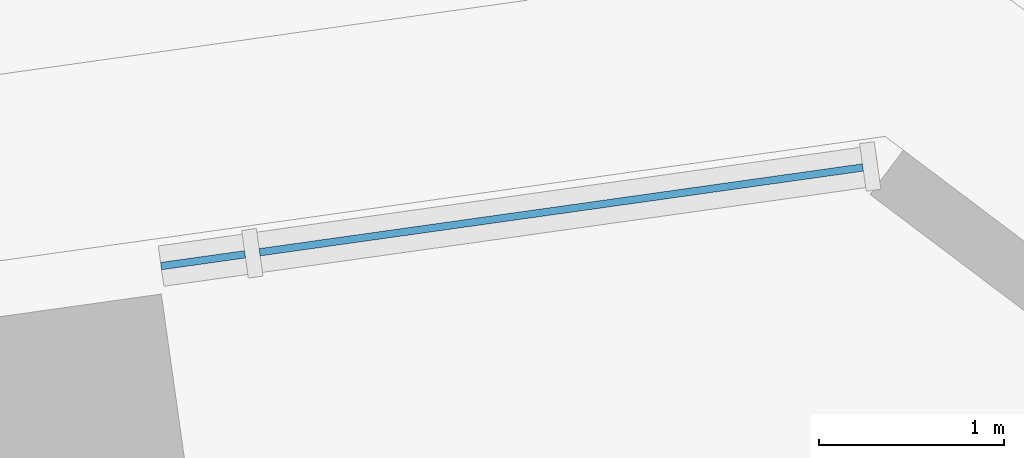
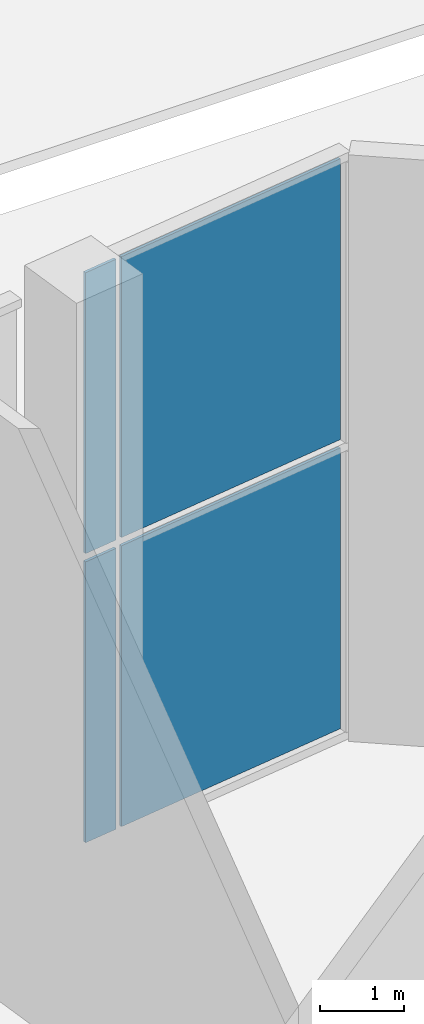
# One storey, part 15 of 34: 4 plates, 1 element without a shape of its own.
"""IFC4 building model written with IfcOpenShell, lengths in metres."""

from ifc_helpers import new_model, si_unit, direction, frame, origin, origin_2d, place, context, subcontext, project, spatial, rectangle, extrude, material, layer, layer_set, type_object, element, aggregate, save


model = new_model("IFC4")

# Units and contexts
model_context = context("Model", 3, precision=1e-05, world=origin(), true_north=direction((0.0, 1.0)))
body_context = subcontext(model_context, "Body", "Model", "MODEL_VIEW")
ifc_project = project(units=[si_unit("LENGTHUNIT", "METRE"), si_unit("AREAUNIT", "SQUARE_METRE"), si_unit("VOLUMEUNIT", "CUBIC_METRE"), si_unit("PLANEANGLEUNIT", "RADIAN"), si_unit("MASSUNIT", "GRAM", prefix="KILO")], contexts=[model_context])

# Site, building, storey
site_placement = place(None, origin())
site = spatial("IfcSite", under=ifc_project, at=site_placement, CompositionType="ELEMENT")
building_placement = place(site_placement, origin())
building = spatial("IfcBuilding", under=site, at=building_placement, Name="Mirante Cascada Hotel Towers", CompositionType="ELEMENT")
storey_placement = place(building_placement, origin())
storey = spatial("IfcBuildingStorey", under=building, at=storey_placement, Name="L00", CompositionType="ELEMENT", Elevation=0.0)

# Curtain wall, plates
ifc_material_1 = material(Name="Aluminium mullion and transom frame with clear laminated glass", Category="aluminium")
curtain_wall_type = type_object("IfcCurtainWallType", Name="Podium curtain wall ECW3", PredefinedType="NOTDEFINED", material=ifc_material_1)
curtain_wall_placement = place(storey_placement, origin())
curtain_wall = element("IfcCurtainWall", 1, at=curtain_wall_placement, inside=storey, type_object=curtain_wall_type, Name="Podium curtain wall L00 run front.1", PredefinedType="NOTDEFINED")
ifc_material_2 = material(Name="Clear laminated glass", Category="glass")
ifc_layer = layer(ifc_material_2, 0.04)
ifc_layer_set = layer_set([ifc_layer], Name="ECW3 glass panel 40")
plate_type = type_object("IfcPlateType", Name="ECW3 glass panel 40", PredefinedType="CURTAIN_PANEL", material=ifc_layer_set)
plate_1_placement = place(storey_placement, frame((92.4455, 25.8114, 0.12), z_axis=(0.0, 0.0, 1.0), x_axis=(-0.9902681, -0.1391731, 0.0)))
plate_1 = element("IfcPlate", 2, at=plate_1_placement, type_object=plate_type, Name="ECW3 panel 1", PredefinedType="CURTAIN_PANEL", context=body_context, shape_type="SweptSolid", body=[
    extrude(rectangle(XDim=3.2989, YDim=0.04, at=origin_2d()), origin(), (0.0, 0.0, 1.0), 4.07),
])
plate_2_placement = place(storey_placement, frame((92.4455, 25.8114, 4.31), z_axis=(0.0, 0.0, 1.0), x_axis=(-0.9902681, -0.1391731, 0.0)))
plate_2 = element("IfcPlate", 3, at=plate_2_placement, type_object=plate_type, Name="ECW3 panel 1", PredefinedType="CURTAIN_PANEL", context=body_context, shape_type="SweptSolid", body=[
    extrude(rectangle(XDim=3.2989, YDim=0.04, at=origin_2d()), origin(), (0.0, 0.0, 1.0), 4.07),
])
plate_3_placement = place(storey_placement, frame((90.5056, 25.5388, 0.12), z_axis=(0.0, 0.0, 1.0), x_axis=(-0.9902681, -0.1391731, 0.0)))
plate_3 = element("IfcPlate", 4, at=plate_3_placement, type_object=plate_type, Name="ECW3 panel 2", PredefinedType="CURTAIN_PANEL", context=body_context, shape_type="SweptSolid", body=[
    extrude(rectangle(XDim=0.4589, YDim=0.04, at=origin_2d()), origin(), (0.0, 0.0, 1.0), 4.07),
])
plate_4_placement = place(storey_placement, frame((90.5056, 25.5388, 4.31), z_axis=(0.0, 0.0, 1.0), x_axis=(-0.9902681, -0.1391731, 0.0)))
plate_4 = element("IfcPlate", 5, at=plate_4_placement, type_object=plate_type, Name="ECW3 panel 2", PredefinedType="CURTAIN_PANEL", context=body_context, shape_type="SweptSolid", body=[
    extrude(rectangle(XDim=0.4589, YDim=0.04, at=origin_2d()), origin(), (0.0, 0.0, 1.0), 4.07),
])
aggregate(curtain_wall, [plate_1, plate_2, plate_3, plate_4])

save(model, "model.ifc")
